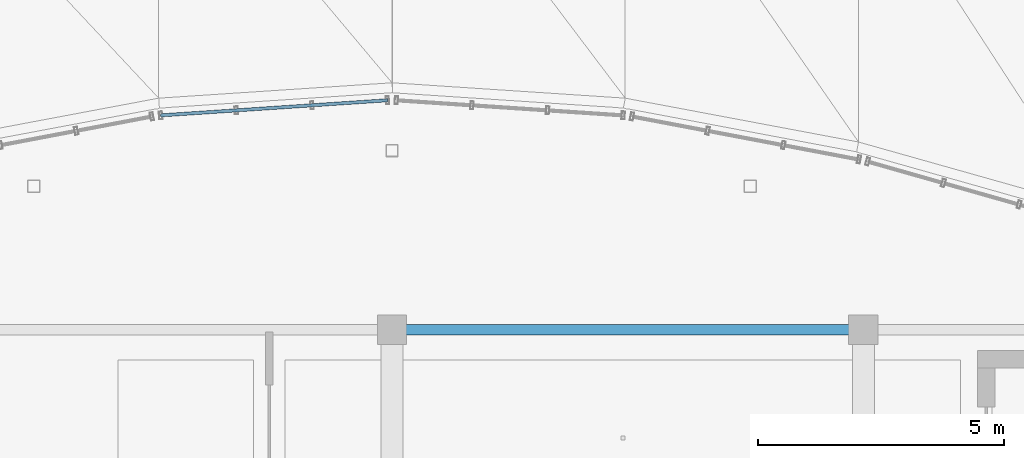
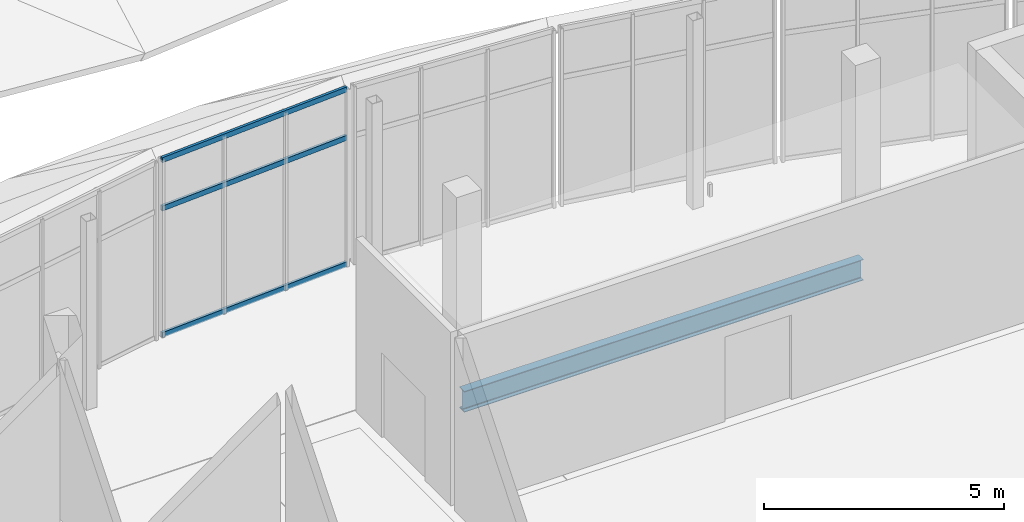
# One storey, part 32 of 116: 3 members, 1 beam, 1 element without a shape of its own.
"""IFC4 building model written with IfcOpenShell, lengths in metres."""

from ifc_helpers import new_model, si_unit, direction, frame, origin, origin_2d, place, context, subcontext, project, spatial, hollow_rectangle, i_section, extrude, material, layer, layer_set, material_profile, profile_set, type_object, element, aggregate, save


model = new_model("IFC4")

# Units and contexts
model_context = context("Model", 3, precision=1e-05, world=origin(), true_north=direction((0.0, 1.0)))
body_context = subcontext(model_context, "Body", "Model", "MODEL_VIEW")
ifc_project = project(units=[si_unit("LENGTHUNIT", "METRE"), si_unit("AREAUNIT", "SQUARE_METRE"), si_unit("VOLUMEUNIT", "CUBIC_METRE"), si_unit("PLANEANGLEUNIT", "RADIAN"), si_unit("MASSUNIT", "GRAM", prefix="KILO")], contexts=[model_context])

# Site, building, storey
site_placement = place(None, origin())
site = spatial("IfcSite", under=ifc_project, at=site_placement, CompositionType="ELEMENT")
building_placement = place(site_placement, origin())
building = spatial("IfcBuilding", under=site, at=building_placement, Name="Chalmorin Arch Market", CompositionType="ELEMENT")
storey_placement = place(building_placement, origin())
storey = spatial("IfcBuildingStorey", under=building, at=storey_placement, Name="L00", CompositionType="ELEMENT", Elevation=0.0)

# Curtain wall, members
ifc_material_1 = material(Name="Aluminium 6063-T6", Category="aluminium")
ifc_layer = layer(ifc_material_1, 0.159912109375)
ifc_layer_set = layer_set([ifc_layer], Name="Aluminium 6063-T6")
curtain_wall_type = type_object("IfcCurtainWallType", Name="RiverfrontStorefrontCurtainWall-CW2-4630x4520", PredefinedType="NOTDEFINED", material=ifc_layer_set)
curtain_wall_placement = place(storey_placement, origin())
curtain_wall = element("IfcCurtainWall", 1, at=curtain_wall_placement, inside=storey, type_object=curtain_wall_type, Name="CW-02-078", PredefinedType="NOTDEFINED")
ifc_material_profile_1 = material_profile(ifc_material_1, hollow_rectangle(XDim=0.06494140625, YDim=0.1298828125, WallThickness=0.00390625, at=origin_2d()), Name="ALU65X130X4")
ifc_profile_set_1 = profile_set([ifc_material_profile_1], Name="Aluminium 6063-T6")
member_type = type_object("IfcMemberType", Name="CurtainWallTransom-65x130", PredefinedType="USERDEFINED", material=ifc_profile_set_1)
member_1_placement = place(storey_placement, frame((14.48974609375, 54.365966796875, 0.034912109375), z_axis=(0.997783991264, 0.066536507106, 0.0), x_axis=(-0.066536507106, 0.997783991264, 0.0)))
member_1 = element("IfcMember", 2, at=member_1_placement, type_object=member_type, Name="TR-078-01", ObjectType="TRANSOM", PredefinedType="USERDEFINED", context=body_context, shape_type="SweptSolid", body=[
    extrude(hollow_rectangle(XDim=0.06494140625, YDim=0.1298828125, WallThickness=0.00390625, at=origin_2d()), origin(), (0.0, 0.0, 1.0), 4.630615234375),
])
member_2_placement = place(storey_placement, frame((14.48974609375, 54.365966796875, 3.25439453125), z_axis=(0.997783991264, 0.066536507106, 0.0), x_axis=(-0.066536507106, 0.997783991264, 0.0)))
member_2 = element("IfcMember", 3, at=member_2_placement, type_object=member_type, Name="TR-078-02", ObjectType="TRANSOM", PredefinedType="USERDEFINED", context=body_context, shape_type="SweptSolid", body=[
    extrude(hollow_rectangle(XDim=0.06494140625, YDim=0.1298828125, WallThickness=0.00390625, at=origin_2d()), origin(), (0.0, 0.0, 1.0), 4.630615234375),
])
member_3_placement = place(storey_placement, frame((14.48974609375, 54.365966796875, 4.485107421875), z_axis=(0.997783991264, 0.066536507106, 0.0), x_axis=(-0.066536507106, 0.997783991264, 0.0)))
member_3 = element("IfcMember", 4, at=member_3_placement, type_object=member_type, Name="TR-078-03", ObjectType="TRANSOM", PredefinedType="USERDEFINED", context=body_context, shape_type="SweptSolid", body=[
    extrude(hollow_rectangle(XDim=0.06494140625, YDim=0.1298828125, WallThickness=0.00390625, at=origin_2d()), origin(), (0.0, 0.0, 1.0), 4.630615234375),
])
aggregate(curtain_wall, [member_1, member_2, member_3])

# Beam
ifc_material_2 = material(Name="Steel A992 Grade 50", Category="steel")
ifc_material_profile_2 = material_profile(ifc_material_2, i_section(OverallWidth=0.208984375, OverallDepth=0.532958984375, WebThickness=0.01025390625, FlangeThickness=0.015625, FilletRadius=0.02197265625, at=origin_2d()), Name="W21X62")
ifc_profile_set_2 = profile_set([ifc_material_profile_2], Name="Steel A992 Grade 50")
beam_type = type_object("IfcBeamType", Name="PerimeterSpandrelBeam-W21X62", PredefinedType="SPANDREL", material=ifc_profile_set_2)
beam_placement = place(storey_placement, frame((19.199951171875, 50.0, -0.618408203125), z_axis=(1.0, 0.0, 0.0), x_axis=(0.0, 1.0, 0.0)))
element("IfcBeam", 5, at=beam_placement, inside=storey, type_object=beam_type, Name="SP-W21-0237", PredefinedType="SPANDREL", context=body_context, shape_type="SweptSolid", body=[
    extrude(i_section(OverallWidth=0.208984375, OverallDepth=0.532958984375, WebThickness=0.01025390625, FlangeThickness=0.015625, FilletRadius=0.02197265625, at=origin_2d()), origin(), (0.0, 0.0, 1.0), 9.60009765625),
])

save(model, "model.ifc")
